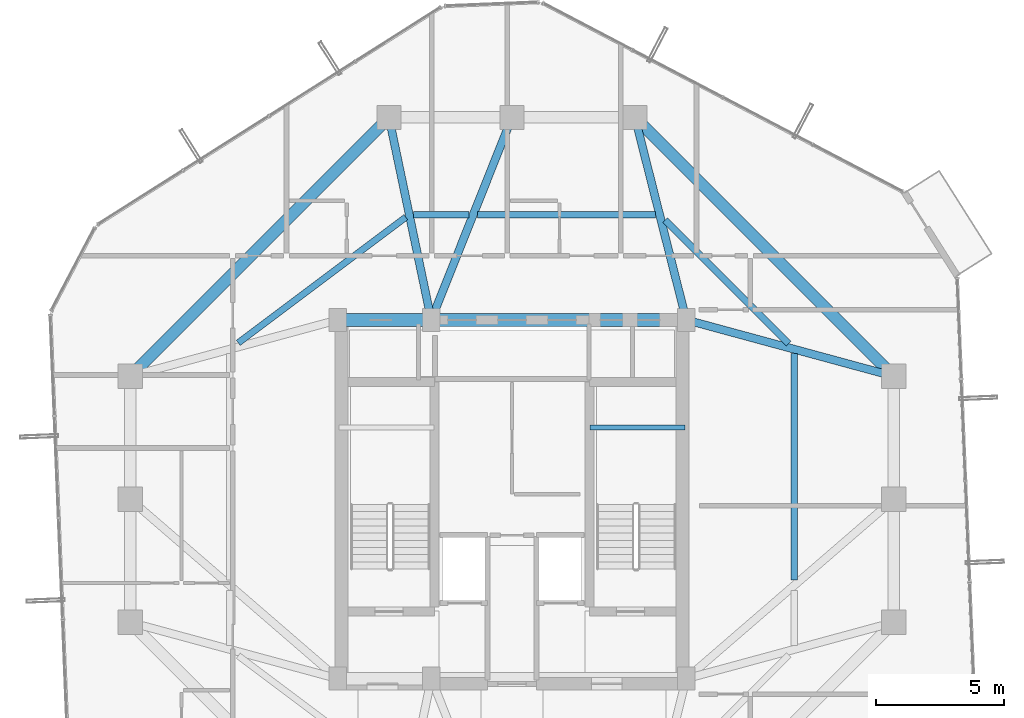
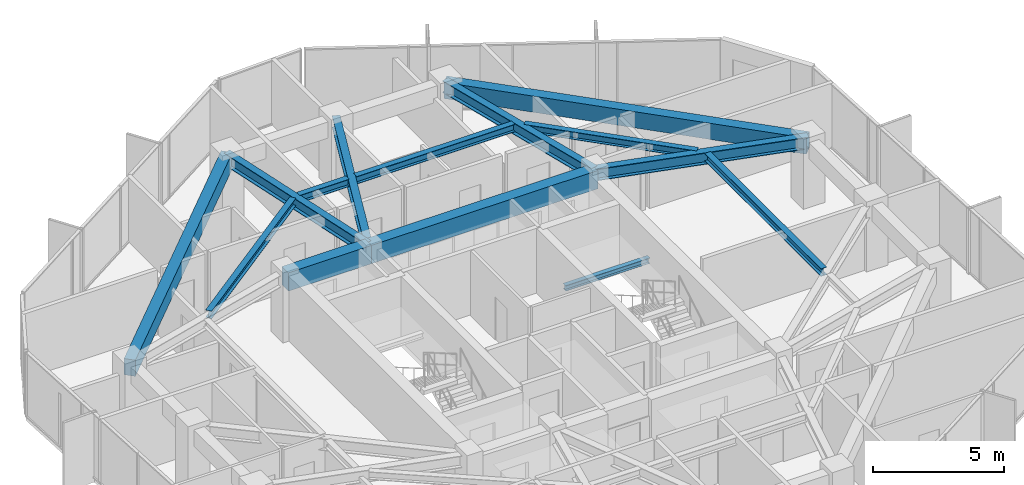
# One storey, part 17 of 33: 14 beams.
"""IFC4 building model written with IfcOpenShell, lengths in metres."""

from ifc_helpers import new_model, si_unit, direction, frame, origin, origin_2d, place, context, subcontext, project, spatial, rectangle, i_section, extrude, material, material_profile, profile_set, type_object, element, save


model = new_model("IFC4")

# Units and contexts
model_context = context("Model", 3, precision=1e-05, world=origin(), true_north=direction((0.0, 1.0)))
body_context = subcontext(model_context, "Body", "Model", "MODEL_VIEW")
ifc_project = project(units=[si_unit("LENGTHUNIT", "METRE"), si_unit("AREAUNIT", "SQUARE_METRE"), si_unit("VOLUMEUNIT", "CUBIC_METRE"), si_unit("PLANEANGLEUNIT", "RADIAN"), si_unit("MASSUNIT", "GRAM", prefix="KILO")], contexts=[model_context])

# Site, building, storey
site_placement = place(None, origin())
site = spatial("IfcSite", under=ifc_project, at=site_placement, CompositionType="ELEMENT")
building_placement = place(site_placement, origin())
building = spatial("IfcBuilding", under=site, at=building_placement, Name="Veraguas Prism Commons", CompositionType="ELEMENT")
storey_placement = place(building_placement, frame((0.0, 0.0, 198.35009765625)))
storey = spatial("IfcBuildingStorey", under=building, at=storey_placement, Name="L56", CompositionType="ELEMENT", Elevation=198.35009765625)

# Beams
ifc_material_1 = material(Name="Concrete C50/60", Category="concrete")
ifc_material_profile_1 = material_profile(ifc_material_1, rectangle(XDim=0.5, YDim=0.85009765625, at=origin_2d()), Name="RC500X850")
ifc_profile_set_1 = profile_set([ifc_material_profile_1], Name="Concrete C50/60")
beam_type_1 = type_object("IfcBeamType", Name="Core Coupling Beam RC 500x850", PredefinedType="BEAM", material=ifc_profile_set_1)
beam_1_placement = place(storey_placement, frame((17.199951171875, 31.0, 2.58984375), z_axis=(1.0, 0.0, 0.0), x_axis=(0.0, 1.0, 0.0)))
element("IfcBeam", 1, at=beam_1_placement, inside=storey, type_object=beam_type_1, Name="Core Coupling Beam L56-CRN1", PredefinedType="BEAM", context=body_context, shape_type="SweptSolid", body=[
    extrude(rectangle(XDim=0.5, YDim=0.85009765625, at=origin_2d()), origin(), (0.0, 0.0, 1.0), 3.650146484375),
])
beam_2_placement = place(storey_placement, frame((20.85009765625, 31.0, 2.58984375), z_axis=(1.0, 0.0, 0.0), x_axis=(0.0, 1.0, 0.0)))
element("IfcBeam", 2, at=beam_2_placement, inside=storey, type_object=beam_type_1, Name="Core Coupling Beam L56-CRN2", PredefinedType="BEAM", context=body_context, shape_type="SweptSolid", body=[
    extrude(rectangle(XDim=0.5, YDim=0.85009765625, at=origin_2d()), origin(), (0.0, 0.0, 1.0), 9.949951171875),
])
ifc_material_profile_2 = material_profile(ifc_material_1, rectangle(XDim=0.449951171875, YDim=0.75, at=origin_2d()), Name="RC450X750")
ifc_profile_set_2 = profile_set([ifc_material_profile_2], Name="Concrete C50/60")
beam_type_2 = type_object("IfcBeamType", Name="Perimeter Spandrel Upper RC 450x750", PredefinedType="SPANDREL", material=ifc_profile_set_2)
for number, where, z_axis, x_axis, name in (
    (3, (38.89990234375, 28.800048828125, 2.639892578125), (-0.707106781187, 0.707106781187, 0.0), (-0.707106781187, -0.707106781187, 0.0), "Perimeter Spandrel Beam L56-SP03"),
    (4, (19.199951171875, 38.89990234375, 2.639892578125), (-0.707106781187, -0.707106781187, 0.0), (0.707106781187, -0.707106781187, 0.0), "Perimeter Spandrel Beam L56-SP06"),
):
    element("IfcBeam", number, at=place(storey_placement, frame(where, z_axis=z_axis, x_axis=x_axis)), inside=storey, type_object=beam_type_2, Name=name, PredefinedType="SPANDREL", context=body_context, shape_type="SweptSolid", body=[
        extrude(rectangle(XDim=0.449951171875, YDim=0.75, at=origin_2d()), origin(), (0.0, 0.0, 1.0), 14.283447265625),
    ])
ifc_material_2 = material(Name="Steel ASTM A992 Grade 50", Category="steel")
ifc_material_profile_3 = material_profile(ifc_material_2, i_section(OverallWidth=0.202880859375, OverallDepth=0.251953125, WebThickness=0.008056640625, FlangeThickness=0.013427734375, at=origin_2d()), Name="W250X58")
ifc_profile_set_3 = profile_set([ifc_material_profile_3], Name="Steel ASTM A992 Grade 50")
beam_type_3 = type_object("IfcBeamType", Name="Structural Opening Lintel W250x58", PredefinedType="LINTEL", material=ifc_profile_set_3)
beam_3_placement = place(storey_placement, frame((27.050048828125, 26.800048828125, 1.298828125), z_axis=(1.0, 0.0, 0.0), x_axis=(0.0, 1.0, 0.0)))
element("IfcBeam", 5, at=beam_3_placement, inside=storey, type_object=beam_type_3, Name="Stair ST-02 Half-Landing Support Beam L56-1", PredefinedType="LINTEL", context=body_context, shape_type="SweptSolid", body=[
    extrude(i_section(OverallWidth=0.202880859375, OverallDepth=0.251953125, WebThickness=0.008056640625, FlangeThickness=0.013427734375, at=origin_2d()), origin(), (0.0, 0.0, 1.0), 3.699951171875),
])
ifc_material_profile_4 = material_profile(ifc_material_2, i_section(OverallWidth=0.25390625, OverallDepth=0.35302734375, WebThickness=0.009521484375, FlangeThickness=0.016357421875, at=origin_2d()), Name="W360X91")
ifc_profile_set_4 = profile_set([ifc_material_profile_4], Name="Steel ASTM A992 Grade 50")
beam_type_4 = type_object("IfcBeamType", Name="Upper Floor Joist W360x91", PredefinedType="JOIST", material=ifc_profile_set_4)
beam_4_placement = place(storey_placement, frame((35.011962890625, 20.843017578125, 2.83837890625), z_axis=(0.0, 1.0, 0.0), x_axis=(-1.0, 0.0, 0.0)))
element("IfcBeam", 6, at=beam_4_placement, inside=storey, type_object=beam_type_4, Name="Composite Floor Joist L56-JS02", PredefinedType="JOIST", context=body_context, shape_type="SweptSolid", body=[
    extrude(i_section(OverallWidth=0.25390625, OverallDepth=0.35302734375, WebThickness=0.009521484375, FlangeThickness=0.016357421875, at=origin_2d()), origin(), (0.0, 0.0, 1.0), 8.85400390625),
])
beam_5_placement = place(storey_placement, frame((34.793701171875, 30.074462890625, 2.83837890625), z_axis=(-0.707124682851, 0.707088879069, 0.0), x_axis=(-0.707088879069, -0.707124682851, 0.0)))
element("IfcBeam", 7, at=beam_5_placement, inside=storey, type_object=beam_type_4, Name="Composite Floor Joist L56-JS03", PredefinedType="JOIST", context=body_context, shape_type="SweptSolid", body=[
    extrude(i_section(OverallWidth=0.25390625, OverallDepth=0.35302734375, WebThickness=0.009521484375, FlangeThickness=0.016357421875, at=origin_2d()), origin(), (0.0, 0.0, 1.0), 6.81884765625),
])
beam_6_placement = place(storey_placement, frame((29.601806640625, 35.10791015625, 2.83837890625), z_axis=(-1.0, 0.0, 0.0), x_axis=(0.0, -1.0, 0.0)))
element("IfcBeam", 8, at=beam_6_placement, inside=storey, type_object=beam_type_4, Name="Composite Floor Joist L56-JS04", PredefinedType="JOIST", context=body_context, shape_type="SweptSolid", body=[
    extrude(i_section(OverallWidth=0.25390625, OverallDepth=0.35302734375, WebThickness=0.009521484375, FlangeThickness=0.016357421875, at=origin_2d()), origin(), (0.0, 0.0, 1.0), 6.948486328125),
])
beam_7_placement = place(storey_placement, frame((22.32275390625, 35.10791015625, 2.83837890625), z_axis=(-1.0, 0.0, 0.0), x_axis=(0.0, -1.0, 0.0)))
element("IfcBeam", 9, at=beam_7_placement, inside=storey, type_object=beam_type_4, Name="Composite Floor Joist L56-JS05", PredefinedType="JOIST", context=body_context, shape_type="SweptSolid", body=[
    extrude(i_section(OverallWidth=0.25390625, OverallDepth=0.35302734375, WebThickness=0.009521484375, FlangeThickness=0.016357421875, at=origin_2d()), origin(), (0.0, 0.0, 1.0), 2.174072265625),
])
beam_8_placement = place(storey_placement, frame((19.8564453125, 35.00634765625, 2.83837890625), z_axis=(-0.800060962004, -0.599918708724, 0.0), x_axis=(0.599918708724, -0.800060962004, 0.0)))
element("IfcBeam", 10, at=beam_8_placement, inside=storey, type_object=beam_type_4, Name="Composite Floor Joist L56-JS06", PredefinedType="JOIST", context=body_context, shape_type="SweptSolid", body=[
    extrude(i_section(OverallWidth=0.25390625, OverallDepth=0.35302734375, WebThickness=0.009521484375, FlangeThickness=0.016357421875, at=origin_2d()), origin(), (0.0, 0.0, 1.0), 8.169189453125),
])
ifc_material_profile_5 = material_profile(ifc_material_2, i_section(OverallWidth=0.31103515625, OverallDepth=0.5458984375, WebThickness=0.0146484375, FlangeThickness=0.023681640625, at=origin_2d()), Name="W530X165")
ifc_profile_set_5 = profile_set([ifc_material_profile_5], Name="Steel ASTM A992 Grade 50")
beam_type_5 = type_object("IfcBeamType", Name="Zone 3 Radial Girder W530x165", PredefinedType="BEAM", material=ifc_profile_set_5)
beam_9_placement = place(storey_placement, frame((38.89990234375, 28.800048828125, 2.741943359375), z_axis=(-0.965038506703, 0.262108146725, 0.0), x_axis=(-0.262108146725, -0.965038506703, 0.0)))
element("IfcBeam", 11, at=beam_9_placement, inside=storey, type_object=beam_type_5, Name="Radial Floor Girder L56-RD03", PredefinedType="BEAM", context=body_context, shape_type="SweptSolid", body=[
    extrude(i_section(OverallWidth=0.31103515625, OverallDepth=0.5458984375, WebThickness=0.0146484375, FlangeThickness=0.023681640625, at=origin_2d()), origin(), (0.0, 0.0, 1.0), 8.393310546875),
])
beam_10_placement = place(storey_placement, frame((28.800048828125, 38.89990234375, 2.741943359375), z_axis=(0.245424718066, -0.969415652732, 0.0), x_axis=(0.969415652732, 0.245424718066, 0.0)))
element("IfcBeam", 12, at=beam_10_placement, inside=storey, type_object=beam_type_5, Name="Radial Floor Girder L56-RD04", PredefinedType="BEAM", context=body_context, shape_type="SweptSolid", body=[
    extrude(i_section(OverallWidth=0.31103515625, OverallDepth=0.5458984375, WebThickness=0.0146484375, FlangeThickness=0.023681640625, at=origin_2d()), origin(), (0.0, 0.0, 1.0), 8.149169921875),
])
beam_11_placement = place(storey_placement, frame((24.0, 38.89990234375, 2.741943359375), z_axis=(-0.370370877803, -0.928883960931, 0.0), x_axis=(0.928883960931, -0.370370877803, 0.0)))
element("IfcBeam", 13, at=beam_11_placement, inside=storey, type_object=beam_type_5, Name="Radial Floor Girder L56-RD05", PredefinedType="BEAM", context=body_context, shape_type="SweptSolid", body=[
    extrude(i_section(OverallWidth=0.31103515625, OverallDepth=0.5458984375, WebThickness=0.0146484375, FlangeThickness=0.023681640625, at=origin_2d()), origin(), (0.0, 0.0, 1.0), 8.504638671875),
])
beam_12_placement = place(storey_placement, frame((19.199951171875, 38.89990234375, 2.741943359375), z_axis=(0.204468851168, -0.978873070884, 0.0), x_axis=(0.978873070884, 0.204468851168, 0.0)))
element("IfcBeam", 14, at=beam_12_placement, inside=storey, type_object=beam_type_5, Name="Radial Floor Girder L56-RD06", PredefinedType="BEAM", context=body_context, shape_type="SweptSolid", body=[
    extrude(i_section(OverallWidth=0.31103515625, OverallDepth=0.5458984375, WebThickness=0.0146484375, FlangeThickness=0.023681640625, at=origin_2d()), origin(), (0.0, 0.0, 1.0), 8.0703125),
])

save(model, "model.ifc")
